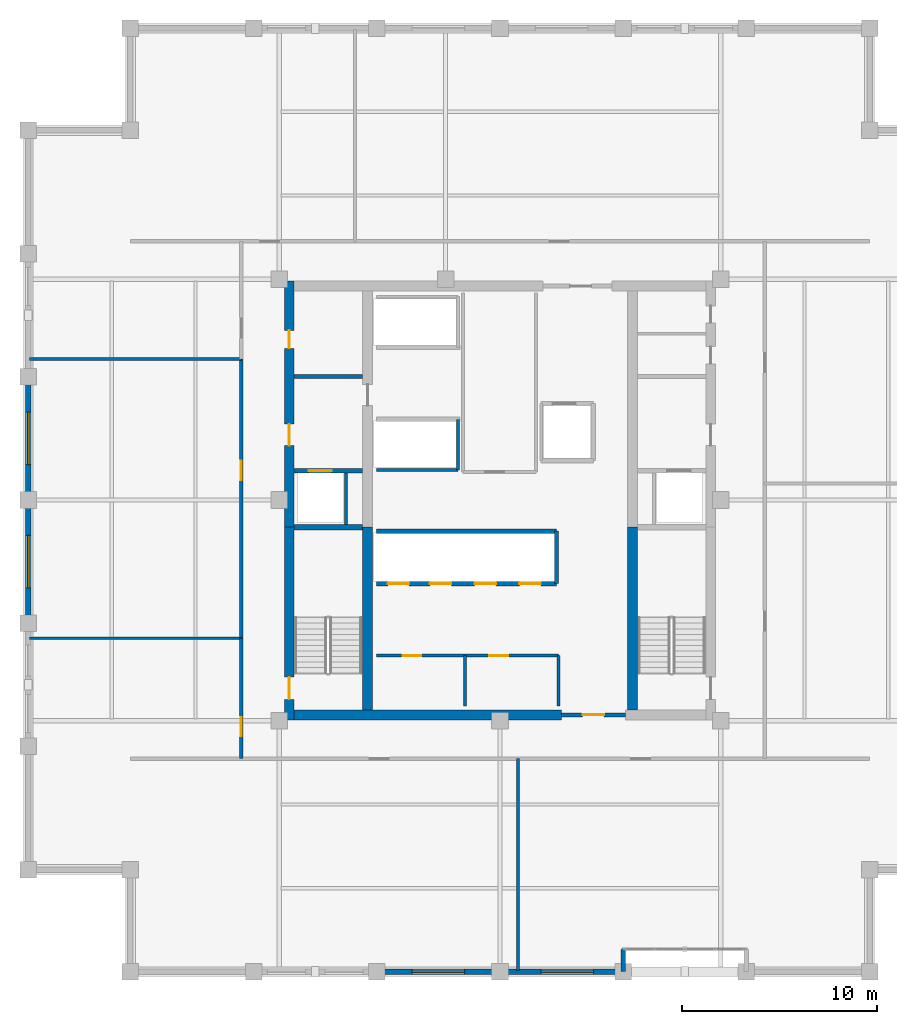
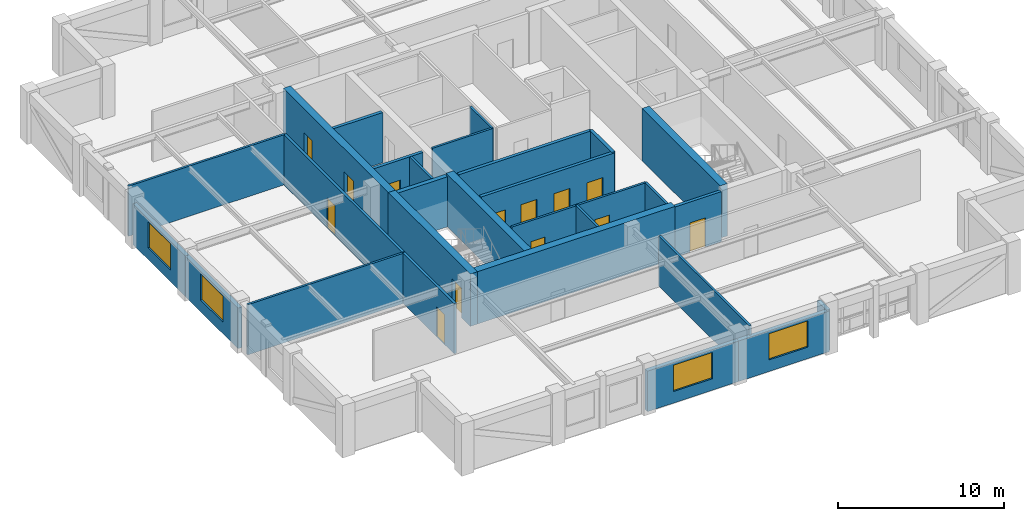
# One storey, part 6 of 10: 28 walls, 13 doors, 4 windows, 17 openings.
"""IFC4 building model written with IfcOpenShell, lengths in metres."""

from ifc_helpers import new_model, si_unit, direction, frame, frame_2d, origin, place, context, subcontext, project, spatial, rectangle, extrude, material, layer, layer_set, type_object, element, fill, save


model = new_model("IFC4")

# Units and contexts
model_context = context("Model", 3, precision=1e-05, world=origin(), true_north=direction((0.0, 1.0)))
body_context = subcontext(model_context, "Body", "Model", "MODEL_VIEW")
ifc_project = project(units=[si_unit("LENGTHUNIT", "METRE"), si_unit("AREAUNIT", "SQUARE_METRE"), si_unit("VOLUMEUNIT", "CUBIC_METRE"), si_unit("PLANEANGLEUNIT", "RADIAN"), si_unit("MASSUNIT", "GRAM", prefix="KILO")], contexts=[model_context])

# Site, building, storey
site_placement = place(None, origin())
site = spatial("IfcSite", under=ifc_project, at=site_placement, CompositionType="ELEMENT")
building_placement = place(site_placement, origin())
building = spatial("IfcBuilding", under=site, at=building_placement, Name="Nhamokura Convention Tower", CompositionType="ELEMENT")
storey_placement = place(building_placement, frame((0.0, 0.0, 210.0)))
storey = spatial("IfcBuildingStorey", under=building, at=storey_placement, Name="L51", CompositionType="ELEMENT", Elevation=210.0)

# Wall
ifc_material_1 = material(Name="Bronze-pigmented precast concrete C45/55", Category="concrete")
ifc_layer_1 = layer(ifc_material_1, 0.280029296875)
ifc_layer_set_1 = layer_set([ifc_layer_1], Name="BronzePrecastSpandrel_280")
wall_type_1 = type_object("IfcWallType", Name="BronzePrecastSpandrel_280", PredefinedType="USERDEFINED", material=ifc_layer_set_1)
wall_1_placement = place(storey_placement, frame((38.333251953125, 7.75, 0.0), z_axis=(0.0, 0.0, 1.0), x_axis=(0.0, 1.0, 0.0)))
element("IfcWall", 1, at=wall_1_placement, inside=storey, type_object=wall_type_1, Name="L51 Scale Slot Cheek Wall SOUTHA", ObjectType="SPANDREL_WALL", PredefinedType="USERDEFINED", context=body_context, shape_type="SweptSolid", body=[
    extrude(rectangle(XDim=1.14990234375, YDim=0.239990234375, at=frame_2d((0.574951171875, 0.0))), origin(), (0.0, 0.0, 1.0), 2.985107421875),
])

# Wall, opening, window
wall_2_placement = place(storey_placement, frame((32.0, 7.75, 0.0), z_axis=(0.0, 0.0, 1.0), x_axis=(-1.0, 0.0, 0.0)))
wall_2 = element("IfcWall", 2, at=wall_2_placement, inside=storey, type_object=wall_type_1, Name="L51 Masonry-Frame Wall SOUTH 2", ObjectType="SPANDREL_WALL", PredefinedType="USERDEFINED", context=body_context, shape_type="SweptSolid", body=[
    extrude(rectangle(XDim=6.333251953125, YDim=0.280029296875, at=frame_2d((3.16650390625, 0.0))), origin(), (0.0, 0.0, 1.0), 2.985107421875),
])
opening_1_placement = place(wall_2_placement, frame((1.816650390625, 0.0, 0.85009765625)))
opening_1 = element("IfcOpeningElement", 3, at=opening_1_placement, cuts=wall_2, Name="Opening W-07", PredefinedType="OPENING", context=body_context, shape_type="SweptSolid", body=[
    extrude(rectangle(XDim=2.699951171875, YDim=1.93505859375, at=frame_2d((1.35009765625, 0.967529296875))), frame((0.0, 0.14990234375, 0.0), z_axis=(0.0, -1.0, 0.0), x_axis=(1.0, 0.0, 0.0)), (0.0, 0.0, 1.0), 0.300048828125),
])
ifc_material_2 = material(Name="Solar-control bronze low-E double glass", Category="glass")
window_type = type_object("IfcWindowType", Name="OfficeModuleWindow_Z3_2700", PartitioningType="DOUBLE_PANEL_VERTICAL", PredefinedType="WINDOW", material=ifc_material_2)
window_1_placement = place(opening_1_placement, origin())
window_1 = element("IfcWindow", 4, at=window_1_placement, inside=storey, type_object=window_type, Name="L51 Facade Window SOUTH 2", OverallHeight=1.93505859375, OverallWidth=2.699951171875, PartitioningType="SINGLE_PANEL", PredefinedType="WINDOW", context=body_context, shape_type="SweptSolid", body=[
    extrude(rectangle(XDim=2.699951171875, YDim=1.93505859375, at=frame_2d((1.35009765625, 0.967529296875))), frame((0.0, 0.030029296875, 0.0), z_axis=(0.0, -1.0, 0.0), x_axis=(1.0, 0.0, 0.0)), (0.0, 0.0, 1.0), 0.06005859375),
])
fill(opening_1, window_1)

wall_3_placement = place(storey_placement, frame((38.333251953125, 7.75, 0.0), z_axis=(0.0, 0.0, 1.0), x_axis=(-1.0, 0.0, 0.0)))
wall_3 = element("IfcWall", 5, at=wall_3_placement, inside=storey, type_object=wall_type_1, Name="L51 Masonry-Frame Wall SOUTH 3", ObjectType="SPANDREL_WALL", PredefinedType="USERDEFINED", context=body_context, shape_type="SweptSolid", body=[
    extrude(rectangle(XDim=6.333251953125, YDim=0.280029296875, at=frame_2d((3.16650390625, 0.0))), origin(), (0.0, 0.0, 1.0), 2.985107421875),
])
opening_2_placement = place(wall_3_placement, frame((1.5166015625, 0.0, 0.85009765625)))
opening_2 = element("IfcOpeningElement", 6, at=opening_2_placement, cuts=wall_3, Name="Opening W-07", PredefinedType="OPENING", context=body_context, shape_type="SweptSolid", body=[
    extrude(rectangle(XDim=2.699951171875, YDim=1.93505859375, at=frame_2d((1.35009765625, 0.967529296875))), frame((0.0, 0.14990234375, 0.0), z_axis=(0.0, -1.0, 0.0), x_axis=(1.0, 0.0, 0.0)), (0.0, 0.0, 1.0), 0.300048828125),
])
window_2_placement = place(opening_2_placement, origin())
window_2 = element("IfcWindow", 7, at=window_2_placement, inside=storey, type_object=window_type, Name="L51 Facade Window SOUTH 3", OverallHeight=1.93505859375, OverallWidth=2.699951171875, PartitioningType="SINGLE_PANEL", PredefinedType="WINDOW", context=body_context, shape_type="SweptSolid", body=[
    extrude(rectangle(XDim=2.699951171875, YDim=1.93505859375, at=frame_2d((1.35009765625, 0.967529296875))), frame((0.0, 0.030029296875, 0.0), z_axis=(0.0, -1.0, 0.0), x_axis=(1.0, 0.0, 0.0)), (0.0, 0.0, 1.0), 0.06005859375),
])
fill(opening_2, window_2)

wall_4_placement = place(storey_placement, frame((7.75, 25.666748046875, 0.0), z_axis=(0.0, 0.0, 1.0), x_axis=(0.0, 1.0, 0.0)))
wall_4 = element("IfcWall", 8, at=wall_4_placement, inside=storey, type_object=wall_type_1, Name="L51 Masonry-Frame Wall WEST 2", ObjectType="SPANDREL_WALL", PredefinedType="USERDEFINED", context=body_context, shape_type="SweptSolid", body=[
    extrude(rectangle(XDim=6.333251953125, YDim=0.280029296875, at=frame_2d((3.16650390625, 0.0))), origin(), (0.0, 0.0, 1.0), 2.985107421875),
])
opening_3_placement = place(wall_4_placement, frame((1.816650390625, 0.0, 0.85009765625)))
opening_3 = element("IfcOpeningElement", 9, at=opening_3_placement, cuts=wall_4, Name="Opening W-07", PredefinedType="OPENING", context=body_context, shape_type="SweptSolid", body=[
    extrude(rectangle(XDim=2.699951171875, YDim=1.93505859375, at=frame_2d((1.35009765625, 0.967529296875))), frame((0.0, 0.14990234375, 0.0), z_axis=(0.0, -1.0, 0.0), x_axis=(1.0, 0.0, 0.0)), (0.0, 0.0, 1.0), 0.300048828125),
])
window_3_placement = place(opening_3_placement, origin())
window_3 = element("IfcWindow", 10, at=window_3_placement, inside=storey, type_object=window_type, Name="L51 Facade Window WEST 2", OverallHeight=1.93505859375, OverallWidth=2.699951171875, PartitioningType="SINGLE_PANEL", PredefinedType="WINDOW", context=body_context, shape_type="SweptSolid", body=[
    extrude(rectangle(XDim=2.699951171875, YDim=1.93505859375, at=frame_2d((1.35009765625, 0.967529296875))), frame((0.0, 0.030029296875, 0.0), z_axis=(0.0, -1.0, 0.0), x_axis=(1.0, 0.0, 0.0)), (0.0, 0.0, 1.0), 0.06005859375),
])
fill(opening_3, window_3)

wall_5_placement = place(storey_placement, frame((7.75, 32.0, 0.0), z_axis=(0.0, 0.0, 1.0), x_axis=(0.0, 1.0, 0.0)))
wall_5 = element("IfcWall", 11, at=wall_5_placement, inside=storey, type_object=wall_type_1, Name="L51 Masonry-Frame Wall WEST 3", ObjectType="SPANDREL_WALL", PredefinedType="USERDEFINED", context=body_context, shape_type="SweptSolid", body=[
    extrude(rectangle(XDim=6.333251953125, YDim=0.280029296875, at=frame_2d((3.16650390625, 0.0))), origin(), (0.0, 0.0, 1.0), 2.985107421875),
])
opening_4_placement = place(wall_5_placement, frame((1.816650390625, 0.0, 0.85009765625)))
opening_4 = element("IfcOpeningElement", 12, at=opening_4_placement, cuts=wall_5, Name="Opening W-07", PredefinedType="OPENING", context=body_context, shape_type="SweptSolid", body=[
    extrude(rectangle(XDim=2.699951171875, YDim=1.93505859375, at=frame_2d((1.35009765625, 0.967529296875))), frame((0.0, 0.14990234375, 0.0), z_axis=(0.0, -1.0, 0.0), x_axis=(1.0, 0.0, 0.0)), (0.0, 0.0, 1.0), 0.300048828125),
])
window_4_placement = place(opening_4_placement, origin())
window_4 = element("IfcWindow", 13, at=window_4_placement, inside=storey, type_object=window_type, Name="L51 Facade Window WEST 3", OverallHeight=1.93505859375, OverallWidth=2.699951171875, PartitioningType="SINGLE_PANEL", PredefinedType="WINDOW", context=body_context, shape_type="SweptSolid", body=[
    extrude(rectangle(XDim=2.699951171875, YDim=1.93505859375, at=frame_2d((1.35009765625, 0.967529296875))), frame((0.0, 0.030029296875, 0.0), z_axis=(0.0, -1.0, 0.0), x_axis=(1.0, 0.0, 0.0)), (0.0, 0.0, 1.0), 0.06005859375),
])
fill(opening_4, window_4)

# Wall, opening, door
ifc_material_3 = material(Name="Concrete C60/75", Category="concrete")
ifc_layer_2 = layer(ifc_material_3, 0.5)
ifc_layer_set_2 = layer_set([ifc_layer_2], Name="CoreShearWall_500")
wall_type_2 = type_object("IfcWallType", Name="CoreShearWall_500", PredefinedType="SHEAR", material=ifc_layer_set_2)
wall_6_placement = place(storey_placement, frame((21.159912109375, 20.699951171875, 0.0), z_axis=(0.0, 0.0, 1.0), x_axis=(0.0, 1.0, 0.0)))
wall_6 = element("IfcWall", 14, at=wall_6_placement, inside=storey, type_object=wall_type_2, Name="L51 Core Shear Wall CW-WS", PredefinedType="SHEAR", context=body_context, shape_type="SweptSolid", body=[
    extrude(rectangle(XDim=9.900146484375, YDim=0.5, at=frame_2d((4.9501953125, 0.0))), origin(), (0.0, 0.0, 1.0), 3.85009765625),
])
opening_5_placement = place(wall_6_placement, frame((1.050048828125, 0.0, 0.0)))
opening_5 = element("IfcOpeningElement", 15, at=opening_5_placement, cuts=wall_6, Name="Opening D-04", PredefinedType="OPENING", context=body_context, shape_type="SweptSolid", body=[
    extrude(rectangle(XDim=1.14990234375, YDim=2.14990234375, at=frame_2d((0.574951171875, 1.074951171875))), frame((0.0, 0.260009765625, 0.0), z_axis=(0.0, -1.0, 0.0), x_axis=(1.0, 0.0, 0.0)), (0.0, 0.0, 1.0), 0.52001953125),
])
ifc_material_4 = material(Name="Fire-rated steel door", Category="steel")
door_type_1 = type_object("IfcDoorType", Name="StairSmokeDoor_1150", OperationType="NOTDEFINED", PredefinedType="DOOR", material=ifc_material_4)
door_1_placement = place(opening_5_placement, origin())
door_1 = element("IfcDoor", 16, at=door_1_placement, inside=storey, type_object=door_type_1, Name="L51 Core Door INT-L51-D-ST01", OperationType="SINGLE_SWING_LEFT", OverallHeight=2.14990234375, OverallWidth=1.14990234375, PredefinedType="DOOR", context=body_context, shape_type="SweptSolid", body=[
    extrude(rectangle(XDim=1.14990234375, YDim=2.14990234375, at=frame_2d((0.574951171875, 1.074951171875))), frame((0.0, 0.02490234375, 0.0), z_axis=(0.0, -1.0, 0.0), x_axis=(1.0, 0.0, 0.0)), (0.0, 0.0, 1.0), 0.050048828125),
])
fill(opening_5, door_1)

# Wall, openings, doors
wall_7_placement = place(storey_placement, frame((21.159912109375, 30.60009765625, 0.0), z_axis=(0.0, 0.0, 1.0), x_axis=(0.0, 1.0, 0.0)))
wall_7 = element("IfcWall", 17, at=wall_7_placement, inside=storey, type_object=wall_type_2, Name="L51 Core Shear Wall CW-WN", PredefinedType="SHEAR", context=body_context, shape_type="SweptSolid", body=[
    extrude(rectangle(XDim=12.64990234375, YDim=0.5, at=frame_2d((6.324951171875, 0.0))), origin(), (0.0, 0.0, 1.0), 3.85009765625),
])
opening_6_placement = place(wall_7_placement, frame((4.199951171875, 0.0, 0.0)))
opening_6 = element("IfcOpeningElement", 18, at=opening_6_placement, cuts=wall_7, Name="Opening D-05", PredefinedType="OPENING", context=body_context, shape_type="SweptSolid", body=[
    extrude(rectangle(XDim=1.10009765625, YDim=2.14990234375, at=frame_2d((0.550048828125, 1.074951171875))), frame((0.0, 0.260009765625, 0.0), z_axis=(0.0, -1.0, 0.0), x_axis=(1.0, 0.0, 0.0)), (0.0, 0.0, 1.0), 0.52001953125),
])
opening_7_placement = place(wall_7_placement, frame((9.199951171875, 0.0, 0.0)))
opening_7 = element("IfcOpeningElement", 19, at=opening_7_placement, cuts=wall_7, Name="Opening D-10", PredefinedType="OPENING", context=body_context, shape_type="SweptSolid", body=[
    extrude(rectangle(XDim=0.919921875, YDim=2.10009765625, at=frame_2d((0.4599609375, 1.050048828125))), frame((0.0, 0.260009765625, 0.0), z_axis=(0.0, -1.0, 0.0), x_axis=(1.0, 0.0, 0.0)), (0.0, 0.0, 1.0), 0.52001953125),
])
ifc_material_5 = material(Name="Solid oak hardwood", Category="wood")
door_type_2 = type_object("IfcDoorType", Name="AccessibleWCDoor_920", OperationType="NOTDEFINED", PredefinedType="DOOR", material=ifc_material_5)
door_2_placement = place(opening_7_placement, origin())
door_2 = element("IfcDoor", 20, at=door_2_placement, inside=storey, type_object=door_type_2, Name="L51 Core Door INT-L51-D-AWC", OperationType="SINGLE_SWING_LEFT", OverallHeight=2.10009765625, OverallWidth=0.919921875, PredefinedType="DOOR", context=body_context, shape_type="SweptSolid", body=[
    extrude(rectangle(XDim=0.919921875, YDim=2.10009765625, at=frame_2d((0.4599609375, 1.050048828125))), frame((0.0, 0.02490234375, 0.0), z_axis=(0.0, -1.0, 0.0), x_axis=(1.0, 0.0, 0.0)), (0.0, 0.0, 1.0), 0.050048828125),
])
fill(opening_7, door_2)
ifc_material_6 = material(Name="Fire-rated steel door", Category="steel")
door_type_3 = type_object("IfcDoorType", Name="FireLobbyDoor_1100", OperationType="NOTDEFINED", PredefinedType="DOOR", material=ifc_material_6)
door_3_placement = place(opening_6_placement, origin())
door_3 = element("IfcDoor", 21, at=door_3_placement, inside=storey, type_object=door_type_3, Name="L51 Core Door INT-L51-D-FFLW", OperationType="SINGLE_SWING_RIGHT", OverallHeight=2.14990234375, OverallWidth=1.10009765625, PredefinedType="DOOR", context=body_context, shape_type="SweptSolid", body=[
    extrude(rectangle(XDim=1.10009765625, YDim=2.14990234375, at=frame_2d((0.550048828125, 1.074951171875))), frame((0.0, 0.02490234375, 0.0), z_axis=(0.0, -1.0, 0.0), x_axis=(1.0, 0.0, 0.0)), (0.0, 0.0, 1.0), 0.050048828125),
])
fill(opening_6, door_3)

# Walls
wall_8_placement = place(storey_placement, frame((21.409912109375, 20.949951171875, 0.0), z_axis=(0.0, 0.0, 1.0), x_axis=(1.0, 0.0, 0.0)))
element("IfcWall", 22, at=wall_8_placement, inside=storey, type_object=wall_type_2, Name="L51 Core Shear Wall CW-S1", PredefinedType="SHEAR", context=body_context, shape_type="SweptSolid", body=[
    extrude(rectangle(XDim=13.739990234375, YDim=0.5, at=frame_2d((6.8701171875, 0.0))), origin(), (0.0, 0.0, 1.0), 3.85009765625),
])
for number, where, z_axis, x_axis, name in (
    (23, (25.18994140625, 21.199951171875, 0.0), (0.0, 0.0, 1.0), (0.0, 1.0, 0.0), "L51 Core Shear Wall CW-IWS"),
    (24, (38.81005859375, 21.199951171875, 0.0), (0.0, 0.0, 1.0), (0.0, 1.0, 0.0), "L51 Core Shear Wall CW-IES"),
):
    element("IfcWall", number, at=place(storey_placement, frame(where, z_axis=z_axis, x_axis=x_axis)), inside=storey, type_object=wall_type_2, Name=name, PredefinedType="SHEAR", context=body_context, shape_type="SweptSolid", body=[
        extrude(rectangle(XDim=9.400146484375, YDim=0.5, at=frame_2d((4.7001953125, 0.0))), origin(), (0.0, 0.0, 1.0), 3.85009765625),
    ])

# Wall, opening, door
ifc_material_7 = material(Name="Fire-rated gypsum and masonry partition", Category="masonry")
ifc_layer_3 = layer(ifc_material_7, 0.179931640625)
ifc_layer_set_3 = layer_set([ifc_layer_3], Name="CorridorRatedWall_180")
wall_type_3 = type_object("IfcWallType", Name="CorridorRatedWall_180", PredefinedType="STANDARD", material=ifc_layer_set_3)
wall_9_placement = place(storey_placement, frame((18.699951171875, 18.699951171875, 0.0), z_axis=(0.0, 0.0, 1.0), x_axis=(0.0, 1.0, 0.0)))
wall_9 = element("IfcWall", 25, at=wall_9_placement, inside=storey, type_object=wall_type_3, Name="L51 Wall INT-L51-CW-W00", PredefinedType="STANDARD", context=body_context, shape_type="SweptSolid", body=[
    extrude(rectangle(XDim=6.191650390625, YDim=0.179931640625, at=frame_2d((3.095703125, 0.0))), origin(), (0.0, 0.0, 1.0), 3.68505859375),
])
opening_8_placement = place(wall_9_placement, frame((1.14599609375, 0.0, 0.0)))
opening_8 = element("IfcOpeningElement", 26, at=opening_8_placement, cuts=wall_9, Name="Opening D-08", PredefinedType="OPENING", context=body_context, shape_type="SweptSolid", body=[
    extrude(rectangle(XDim=0.97998046875, YDim=2.199951171875, at=frame_2d((0.489990234375, 1.10009765625))), frame((0.0, 0.099853515625, 0.0), z_axis=(0.0, -1.0, 0.0), x_axis=(1.0, 0.0, 0.0)), (0.0, 0.0, 1.0), 0.199951171875),
])
ifc_material_8 = material(Name="Solid oak hardwood", Category="wood")
door_type_4 = type_object("IfcDoorType", Name="OfficeEntryDoor_980", OperationType="NOTDEFINED", PredefinedType="DOOR", material=ifc_material_8)
door_4_placement = place(opening_8_placement, origin())
door_4 = element("IfcDoor", 27, at=door_4_placement, inside=storey, type_object=door_type_4, Name="L51 Materials Library W01 Door", OperationType="SINGLE_SWING_LEFT", OverallHeight=2.199951171875, OverallWidth=0.97998046875, PredefinedType="DOOR", context=body_context, shape_type="SweptSolid", body=[
    extrude(rectangle(XDim=0.97998046875, YDim=2.199951171875, at=frame_2d((0.489990234375, 1.10009765625))), frame((0.0, 0.02490234375, 0.0), z_axis=(0.0, -1.0, 0.0), x_axis=(1.0, 0.0, 0.0)), (0.0, 0.0, 1.0), 0.050048828125),
])
fill(opening_8, door_4)

wall_10_placement = place(storey_placement, frame((18.699951171875, 24.8916015625, 0.0), z_axis=(0.0, 0.0, 1.0), x_axis=(0.0, 1.0, 0.0)))
wall_10 = element("IfcWall", 28, at=wall_10_placement, inside=storey, type_object=wall_type_3, Name="L51 Wall INT-L51-CW-W01", PredefinedType="STANDARD", context=body_context, shape_type="SweptSolid", body=[
    extrude(rectangle(XDim=14.36669921875, YDim=0.179931640625, at=frame_2d((7.183349609375, 0.0))), origin(), (0.0, 0.0, 1.0), 3.68505859375),
])
opening_9_placement = place(wall_10_placement, frame((8.13330078125, 0.0, 0.0)))
opening_9 = element("IfcOpeningElement", 29, at=opening_9_placement, cuts=wall_10, Name="Opening D-08", PredefinedType="OPENING", context=body_context, shape_type="SweptSolid", body=[
    extrude(rectangle(XDim=0.97998046875, YDim=2.199951171875, at=frame_2d((0.489990234375, 1.10009765625))), frame((0.0, 0.099853515625, 0.0), z_axis=(0.0, -1.0, 0.0), x_axis=(1.0, 0.0, 0.0)), (0.0, 0.0, 1.0), 0.199951171875),
])
door_5_placement = place(opening_9_placement, origin())
door_5 = element("IfcDoor", 30, at=door_5_placement, inside=storey, type_object=door_type_4, Name="L51 Private Office W02 Door", OperationType="SINGLE_SWING_RIGHT", OverallHeight=2.199951171875, OverallWidth=0.97998046875, PredefinedType="DOOR", context=body_context, shape_type="SweptSolid", body=[
    extrude(rectangle(XDim=0.97998046875, YDim=2.199951171875, at=frame_2d((0.489990234375, 1.10009765625))), frame((0.0, 0.02490234375, 0.0), z_axis=(0.0, -1.0, 0.0), x_axis=(1.0, 0.0, 0.0)), (0.0, 0.0, 1.0), 0.050048828125),
])
fill(opening_9, door_5)

ifc_material_9 = material(Name="Autoclaved concrete blockwork", Category="masonry")
ifc_layer_4 = layer(ifc_material_9, 0.219970703125)
ifc_layer_set_4 = layer_set([ifc_layer_4], Name="FireLobbyWall_220")
wall_type_4 = type_object("IfcWallType", Name="FireLobbyWall_220", PredefinedType="STANDARD", material=ifc_layer_set_4)
wall_11_placement = place(storey_placement, frame((21.409912109375, 33.5, 0.0), z_axis=(0.0, 0.0, 1.0), x_axis=(1.0, 0.0, 0.0)))
wall_11 = element("IfcWall", 31, at=wall_11_placement, inside=storey, type_object=wall_type_4, Name="L51 Wall INT-L51-FFW-S", PredefinedType="STANDARD", context=body_context, shape_type="SweptSolid", body=[
    extrude(rectangle(XDim=3.530029296875, YDim=0.219970703125, at=frame_2d((1.76513671875, 0.0))), origin(), (0.0, 0.0, 1.0), 3.68505859375),
])
opening_10_placement = place(wall_11_placement, frame((0.75, 0.0, 0.0)))
opening_10 = element("IfcOpeningElement", 32, at=opening_10_placement, cuts=wall_11, Name="Opening LD-02", PredefinedType="OPENING", context=body_context, shape_type="SweptSolid", body=[
    extrude(rectangle(XDim=1.199951171875, YDim=2.199951171875, at=frame_2d((0.60009765625, 1.10009765625))), frame((0.0, 0.119873046875, 0.0), z_axis=(0.0, -1.0, 0.0), x_axis=(1.0, 0.0, 0.0)), (0.0, 0.0, 1.0), 0.239990234375),
])
ifc_material_10 = material(Name="Anodised bronze stainless steel", Category="steel")
door_type_5 = type_object("IfcDoorType", Name="LiftLandingDoor_FireService", OperationType="DOUBLE_DOOR_SLIDING", PredefinedType="DOOR", material=ifc_material_10)
door_6_placement = place(opening_10_placement, origin())
door_6 = element("IfcDoor", 33, at=door_6_placement, inside=storey, type_object=door_type_5, Name="L51 Firefighting Lift LF-01 Door", OperationType="DOUBLE_DOOR_SLIDING", OverallHeight=2.199951171875, OverallWidth=1.199951171875, PredefinedType="DOOR", context=body_context, shape_type="SweptSolid", body=[
    extrude(rectangle(XDim=1.199951171875, YDim=2.199951171875, at=frame_2d((0.60009765625, 1.10009765625))), frame((0.0, 0.02490234375, 0.0), z_axis=(0.0, -1.0, 0.0), x_axis=(1.0, 0.0, 0.0)), (0.0, 0.0, 1.0), 0.050048828125),
])
fill(opening_10, door_6)

# Wall
wall_12_placement = place(storey_placement, frame((21.409912109375, 38.35009765625, 0.0), z_axis=(0.0, 0.0, 1.0), x_axis=(1.0, 0.0, 0.0)))
element("IfcWall", 34, at=wall_12_placement, inside=storey, type_object=wall_type_4, Name="L51 Wall INT-L51-FFW-N", PredefinedType="STANDARD", context=body_context, shape_type="SweptSolid", body=[
    extrude(rectangle(XDim=3.530029296875, YDim=0.219970703125, at=frame_2d((1.76513671875, 0.0))), origin(), (0.0, 0.0, 1.0), 3.68505859375),
])

# Wall, opening, door
wall_13_placement = place(storey_placement, frame((35.14990234375, 20.949951171875, 0.0), z_axis=(0.0, 0.0, 1.0), x_axis=(1.0, 0.0, 0.0)))
wall_13 = element("IfcWall", 35, at=wall_13_placement, inside=storey, type_object=wall_type_4, Name="L51 Wall INT-L51-SPORT-S", PredefinedType="STANDARD", context=body_context, shape_type="SweptSolid", body=[
    extrude(rectangle(XDim=3.300048828125, YDim=0.219970703125, at=frame_2d((1.64990234375, 0.0))), origin(), (0.0, 0.0, 1.0), 3.68505859375),
])
opening_11_placement = place(wall_13_placement, frame((1.10009765625, 0.0, 0.0)))
opening_11 = element("IfcOpeningElement", 36, at=opening_11_placement, cuts=wall_13, Name="Opening D-05", PredefinedType="OPENING", context=body_context, shape_type="SweptSolid", body=[
    extrude(rectangle(XDim=1.10009765625, YDim=2.14990234375, at=frame_2d((0.550048828125, 1.074951171875))), frame((0.0, 0.119873046875, 0.0), z_axis=(0.0, -1.0, 0.0), x_axis=(1.0, 0.0, 0.0)), (0.0, 0.0, 1.0), 0.239990234375),
])
door_7_placement = place(opening_11_placement, origin())
door_7 = element("IfcDoor", 37, at=door_7_placement, inside=storey, type_object=door_type_3, Name="L51 South Core Lobby Portal Door", OperationType="SINGLE_SWING_LEFT", OverallHeight=2.14990234375, OverallWidth=1.10009765625, PredefinedType="DOOR", context=body_context, shape_type="SweptSolid", body=[
    extrude(rectangle(XDim=1.10009765625, YDim=2.14990234375, at=frame_2d((0.550048828125, 1.074951171875))), frame((0.0, 0.02490234375, 0.0), z_axis=(0.0, -1.0, 0.0), x_axis=(1.0, 0.0, 0.0)), (0.0, 0.0, 1.0), 0.050048828125),
])
fill(opening_11, door_7)

# Wall, openings, doors
wall_14_placement = place(storey_placement, frame((25.64990234375, 27.699951171875, 0.0), z_axis=(0.0, 0.0, 1.0), x_axis=(1.0, 0.0, 0.0)))
wall_14 = element("IfcWall", 38, at=wall_14_placement, inside=storey, type_object=wall_type_4, Name="L51 Wall INT-L51-B2S", PredefinedType="STANDARD", context=body_context, shape_type="SweptSolid", body=[
    extrude(rectangle(XDim=9.25, YDim=0.219970703125, at=frame_2d((4.625, 0.0))), origin(), (0.0, 0.0, 1.0), 3.68505859375),
])
opening_12_placement = place(wall_14_placement, frame((0.580078125, 0.0, 0.0)))
opening_12 = element("IfcOpeningElement", 39, at=opening_12_placement, cuts=wall_14, Name="Opening LD-01", PredefinedType="OPENING", context=body_context, shape_type="SweptSolid", body=[
    extrude(rectangle(XDim=1.10009765625, YDim=2.14990234375, at=frame_2d((0.550048828125, 1.074951171875))), frame((0.0, 0.119873046875, 0.0), z_axis=(0.0, -1.0, 0.0), x_axis=(1.0, 0.0, 0.0)), (0.0, 0.0, 1.0), 0.239990234375),
])
opening_13_placement = place(wall_14_placement, frame((2.75, 0.0, 0.0)))
opening_13 = element("IfcOpeningElement", 40, at=opening_13_placement, cuts=wall_14, Name="Opening LD-01", PredefinedType="OPENING", context=body_context, shape_type="SweptSolid", body=[
    extrude(rectangle(XDim=1.10009765625, YDim=2.14990234375, at=frame_2d((0.550048828125, 1.074951171875))), frame((0.0, 0.119873046875, 0.0), z_axis=(0.0, -1.0, 0.0), x_axis=(1.0, 0.0, 0.0)), (0.0, 0.0, 1.0), 0.239990234375),
])
opening_14_placement = place(wall_14_placement, frame((5.050048828125, 0.0, 0.0)))
opening_14 = element("IfcOpeningElement", 41, at=opening_14_placement, cuts=wall_14, Name="Opening LD-01", PredefinedType="OPENING", context=body_context, shape_type="SweptSolid", body=[
    extrude(rectangle(XDim=1.10009765625, YDim=2.14990234375, at=frame_2d((0.550048828125, 1.074951171875))), frame((0.0, 0.119873046875, 0.0), z_axis=(0.0, -1.0, 0.0), x_axis=(1.0, 0.0, 0.0)), (0.0, 0.0, 1.0), 0.239990234375),
])
opening_15_placement = place(wall_14_placement, frame((7.35009765625, 0.0, 0.0)))
opening_15 = element("IfcOpeningElement", 42, at=opening_15_placement, cuts=wall_14, Name="Opening LD-01", PredefinedType="OPENING", context=body_context, shape_type="SweptSolid", body=[
    extrude(rectangle(XDim=1.10009765625, YDim=2.14990234375, at=frame_2d((0.550048828125, 1.074951171875))), frame((0.0, 0.119873046875, 0.0), z_axis=(0.0, -1.0, 0.0), x_axis=(1.0, 0.0, 0.0)), (0.0, 0.0, 1.0), 0.239990234375),
])
ifc_material_11 = material(Name="Anodised bronze stainless steel", Category="steel")
door_type_6 = type_object("IfcDoorType", Name="LiftLandingDoor_Passenger", OperationType="DOUBLE_DOOR_SLIDING", PredefinedType="DOOR", material=ifc_material_11)
door_8_placement = place(opening_12_placement, origin())
door_8 = element("IfcDoor", 43, at=door_8_placement, inside=storey, type_object=door_type_6, Name="L51 Lift LP-05 Landing Door", OperationType="DOUBLE_DOOR_SLIDING", OverallHeight=2.14990234375, OverallWidth=1.10009765625, PredefinedType="DOOR", context=body_context, shape_type="SweptSolid", body=[
    extrude(rectangle(XDim=1.10009765625, YDim=2.14990234375, at=frame_2d((0.550048828125, 1.074951171875))), frame((0.0, 0.02490234375, 0.0), z_axis=(0.0, -1.0, 0.0), x_axis=(1.0, 0.0, 0.0)), (0.0, 0.0, 1.0), 0.050048828125),
])
fill(opening_12, door_8)
door_9_placement = place(opening_13_placement, origin())
door_9 = element("IfcDoor", 44, at=door_9_placement, inside=storey, type_object=door_type_6, Name="L51 Lift LP-06 Landing Door", OperationType="DOUBLE_DOOR_SLIDING", OverallHeight=2.14990234375, OverallWidth=1.10009765625, PredefinedType="DOOR", context=body_context, shape_type="SweptSolid", body=[
    extrude(rectangle(XDim=1.10009765625, YDim=2.14990234375, at=frame_2d((0.550048828125, 1.074951171875))), frame((0.0, 0.02490234375, 0.0), z_axis=(0.0, -1.0, 0.0), x_axis=(1.0, 0.0, 0.0)), (0.0, 0.0, 1.0), 0.050048828125),
])
fill(opening_13, door_9)
door_10_placement = place(opening_14_placement, origin())
door_10 = element("IfcDoor", 45, at=door_10_placement, inside=storey, type_object=door_type_6, Name="L51 Lift LP-07 Landing Door", OperationType="DOUBLE_DOOR_SLIDING", OverallHeight=2.14990234375, OverallWidth=1.10009765625, PredefinedType="DOOR", context=body_context, shape_type="SweptSolid", body=[
    extrude(rectangle(XDim=1.10009765625, YDim=2.14990234375, at=frame_2d((0.550048828125, 1.074951171875))), frame((0.0, 0.02490234375, 0.0), z_axis=(0.0, -1.0, 0.0), x_axis=(1.0, 0.0, 0.0)), (0.0, 0.0, 1.0), 0.050048828125),
])
fill(opening_14, door_10)
door_11_placement = place(opening_15_placement, origin())
door_11 = element("IfcDoor", 46, at=door_11_placement, inside=storey, type_object=door_type_6, Name="L51 Lift LP-08 Landing Door", OperationType="DOUBLE_DOOR_SLIDING", OverallHeight=2.14990234375, OverallWidth=1.10009765625, PredefinedType="DOOR", context=body_context, shape_type="SweptSolid", body=[
    extrude(rectangle(XDim=1.10009765625, YDim=2.14990234375, at=frame_2d((0.550048828125, 1.074951171875))), frame((0.0, 0.02490234375, 0.0), z_axis=(0.0, -1.0, 0.0), x_axis=(1.0, 0.0, 0.0)), (0.0, 0.0, 1.0), 0.050048828125),
])
fill(opening_15, door_11)

# Walls
wall_15_placement = place(storey_placement, frame((25.64990234375, 30.39990234375, 0.0), z_axis=(0.0, 0.0, 1.0), x_axis=(1.0, 0.0, 0.0)))
element("IfcWall", 47, at=wall_15_placement, inside=storey, type_object=wall_type_4, Name="L51 Wall INT-L51-B2N", PredefinedType="STANDARD", context=body_context, shape_type="SweptSolid", body=[
    extrude(rectangle(XDim=9.25, YDim=0.219970703125, at=frame_2d((4.625, 0.0))), origin(), (0.0, 0.0, 1.0), 3.68505859375),
])
wall_16_placement = place(storey_placement, frame((34.89990234375, 27.699951171875, 0.0), z_axis=(0.0, 0.0, 1.0), x_axis=(0.0, 1.0, 0.0)))
element("IfcWall", 48, at=wall_16_placement, inside=storey, type_object=wall_type_4, Name="L51 Wall INT-L51-B2E", PredefinedType="STANDARD", context=body_context, shape_type="SweptSolid", body=[
    extrude(rectangle(XDim=2.699951171875, YDim=0.219970703125, at=frame_2d((1.35009765625, 0.0))), origin(), (0.0, 0.0, 1.0), 3.68505859375),
])
ifc_material_12 = material(Name="Acoustic gypsum stud partition", Category="masonry")
ifc_layer_5 = layer(ifc_material_12, 0.14990234375)
ifc_layer_set_5 = layer_set([ifc_layer_5], Name="InteriorPartition_150")
wall_type_5 = type_object("IfcWallType", Name="InteriorPartition_150", PredefinedType="STANDARD", material=ifc_layer_set_5)
wall_17_placement = place(storey_placement, frame((24.080078125, 30.75, 0.0), z_axis=(0.0, 0.0, 1.0), x_axis=(0.0, 1.0, 0.0)))
element("IfcWall", 49, at=wall_17_placement, inside=storey, type_object=wall_type_5, Name="L51 Wall INT-L51-FF1-E", PredefinedType="STANDARD", context=body_context, shape_type="SweptSolid", body=[
    extrude(rectangle(XDim=2.64990234375, YDim=0.14990234375, at=frame_2d((1.324951171875, 0.0))), origin(), (0.0, 0.0, 1.0), 3.68505859375),
])

# Wall, openings, doors
wall_18_placement = place(storey_placement, frame((25.64990234375, 24.0, 0.0), z_axis=(0.0, 0.0, 1.0), x_axis=(1.0, 0.0, 0.0)))
wall_18 = element("IfcWall", 50, at=wall_18_placement, inside=storey, type_object=wall_type_5, Name="L51 Wall INT-L51-B1R-N", PredefinedType="STANDARD", context=body_context, shape_type="SweptSolid", body=[
    extrude(rectangle(XDim=9.35009765625, YDim=0.14990234375, at=frame_2d((4.675048828125, 0.0))), origin(), (0.0, 0.0, 1.0), 3.68505859375),
])
opening_16_placement = place(wall_18_placement, frame((1.35009765625, 0.0, 0.0)))
opening_16 = element("IfcOpeningElement", 51, at=opening_16_placement, cuts=wall_18, Name="Opening D-09", PredefinedType="OPENING", context=body_context, shape_type="SweptSolid", body=[
    extrude(rectangle(XDim=0.949951171875, YDim=2.14990234375, at=frame_2d((0.47509765625, 1.074951171875))), frame((0.0, 0.0849609375, 0.0), z_axis=(0.0, -1.0, 0.0), x_axis=(1.0, 0.0, 0.0)), (0.0, 0.0, 1.0), 0.169921875),
])
opening_17_placement = place(wall_18_placement, frame((5.800048828125, 0.0, 0.0)))
opening_17 = element("IfcOpeningElement", 52, at=opening_17_placement, cuts=wall_18, Name="Opening D-08", PredefinedType="OPENING", context=body_context, shape_type="SweptSolid", body=[
    extrude(rectangle(XDim=0.97998046875, YDim=2.199951171875, at=frame_2d((0.489990234375, 1.10009765625))), frame((0.0, 0.0849609375, 0.0), z_axis=(0.0, -1.0, 0.0), x_axis=(1.0, 0.0, 0.0)), (0.0, 0.0, 1.0), 0.169921875),
])
ifc_material_13 = material(Name="Solid oak hardwood", Category="wood")
door_type_7 = type_object("IfcDoorType", Name="MeetingRoomDoor_950", OperationType="NOTDEFINED", PredefinedType="DOOR", material=ifc_material_13)
door_12_placement = place(opening_16_placement, origin())
door_12 = element("IfcDoor", 53, at=door_12_placement, inside=storey, type_object=door_type_7, Name="L51 Reclaimed Briefing Room Door", OperationType="SINGLE_SWING_RIGHT", OverallHeight=2.14990234375, OverallWidth=0.949951171875, PredefinedType="DOOR", context=body_context, shape_type="SweptSolid", body=[
    extrude(rectangle(XDim=0.949951171875, YDim=2.14990234375, at=frame_2d((0.47509765625, 1.074951171875))), frame((0.0, 0.02490234375, 0.0), z_axis=(0.0, -1.0, 0.0), x_axis=(1.0, 0.0, 0.0)), (0.0, 0.0, 1.0), 0.050048828125),
])
fill(opening_16, door_12)
door_13_placement = place(opening_17_placement, origin())
door_13 = element("IfcDoor", 54, at=door_13_placement, inside=storey, type_object=door_type_4, Name="L51 Reclaimed Hub Door", OperationType="SINGLE_SWING_LEFT", OverallHeight=2.199951171875, OverallWidth=0.97998046875, PredefinedType="DOOR", context=body_context, shape_type="SweptSolid", body=[
    extrude(rectangle(XDim=0.97998046875, YDim=2.199951171875, at=frame_2d((0.489990234375, 1.10009765625))), frame((0.0, 0.02490234375, 0.0), z_axis=(0.0, -1.0, 0.0), x_axis=(1.0, 0.0, 0.0)), (0.0, 0.0, 1.0), 0.050048828125),
])
fill(opening_17, door_13)

# Walls
for number, where, z_axis, x_axis, name in (
    (55, (30.199951171875, 21.39990234375, 0.0), (0.0, 0.0, 1.0), (0.0, 1.0, 0.0), "L51 Wall INT-L51-B1R-M"),
    (56, (35.0, 21.39990234375, 0.0), (0.0, 0.0, 1.0), (0.0, 1.0, 0.0), "L51 Wall INT-L51-B1R-E"),
):
    element("IfcWall", number, at=place(storey_placement, frame(where, z_axis=z_axis, x_axis=x_axis)), inside=storey, type_object=wall_type_5, Name=name, PredefinedType="STANDARD", context=body_context, shape_type="SweptSolid", body=[
        extrude(rectangle(XDim=2.60009765625, YDim=0.14990234375, at=frame_2d((1.300048828125, 0.0))), origin(), (0.0, 0.0, 1.0), 3.68505859375),
    ])
wall_19_placement = place(storey_placement, frame((25.64990234375, 33.550048828125, 0.0), z_axis=(0.0, 0.0, 1.0), x_axis=(1.0, 0.0, 0.0)))
element("IfcWall", 57, at=wall_19_placement, inside=storey, type_object=wall_type_5, Name="L51 Wall INT-L51-B3A-S", PredefinedType="STANDARD", context=body_context, shape_type="SweptSolid", body=[
    extrude(rectangle(XDim=4.2001953125, YDim=0.14990234375, at=frame_2d((2.10009765625, 0.0))), origin(), (0.0, 0.0, 1.0), 3.68505859375),
])
wall_20_placement = place(storey_placement, frame((29.85009765625, 33.550048828125, 0.0), z_axis=(0.0, 0.0, 1.0), x_axis=(0.0, 1.0, 0.0)))
element("IfcWall", 58, at=wall_20_placement, inside=storey, type_object=wall_type_5, Name="L51 Wall INT-L51-B3A-E", PredefinedType="STANDARD", context=body_context, shape_type="SweptSolid", body=[
    extrude(rectangle(XDim=2.599853515625, YDim=0.14990234375, at=frame_2d((1.2998046875, 0.0))), origin(), (0.0, 0.0, 1.0), 3.68505859375),
])
for number, where, z_axis, x_axis, name in (
    (59, (32.925048828125, 7.81005859375, 0.0), (0.0, 0.0, 1.0), (0.0, 1.0, 0.0), "L51 Wall INT-L51-RW-S01"),
    (60, (7.81005859375, 24.8916015625, 0.0), (0.0, 0.0, 1.0), (1.0, 0.0, 0.0), "L51 Wall INT-L51-RW-W01"),
    (61, (7.81005859375, 39.25830078125, 0.0), (0.0, 0.0, 1.0), (1.0, 0.0, 0.0), "L51 Wall INT-L51-RW-W02"),
):
    element("IfcWall", number, at=place(storey_placement, frame(where, z_axis=z_axis, x_axis=x_axis)), inside=storey, type_object=wall_type_5, Name=name, PredefinedType="STANDARD", context=body_context, shape_type="SweptSolid", body=[
        extrude(rectangle(XDim=10.889892578125, YDim=0.14990234375, at=frame_2d((5.44482421875, 0.0))), origin(), (0.0, 0.0, 1.0), 3.68505859375),
    ])
ifc_material_14 = material(Name="Concrete C50/60", Category="concrete")
ifc_layer_6 = layer(ifc_material_14, 0.300048828125)
ifc_layer_set_6 = layer_set([ifc_layer_6], Name="ShaftEnclosureWall_300")
wall_type_6 = type_object("IfcWallType", Name="ShaftEnclosureWall_300", PredefinedType="SHEAR", material=ifc_layer_set_6)
wall_21_placement = place(storey_placement, frame((21.409912109375, 30.60009765625, 0.0), z_axis=(0.0, 0.0, 1.0), x_axis=(1.0, 0.0, 0.0)))
element("IfcWall", 62, at=wall_21_placement, inside=storey, type_object=wall_type_6, Name="L51 Wall INT-L51-ST01-N", PredefinedType="SHEAR", context=body_context, shape_type="SweptSolid", body=[
    extrude(rectangle(XDim=3.530029296875, YDim=0.300048828125, at=frame_2d((1.76513671875, 0.0))), origin(), (0.0, 0.0, 1.0), 3.68505859375),
])

save(model, "model.ifc")
